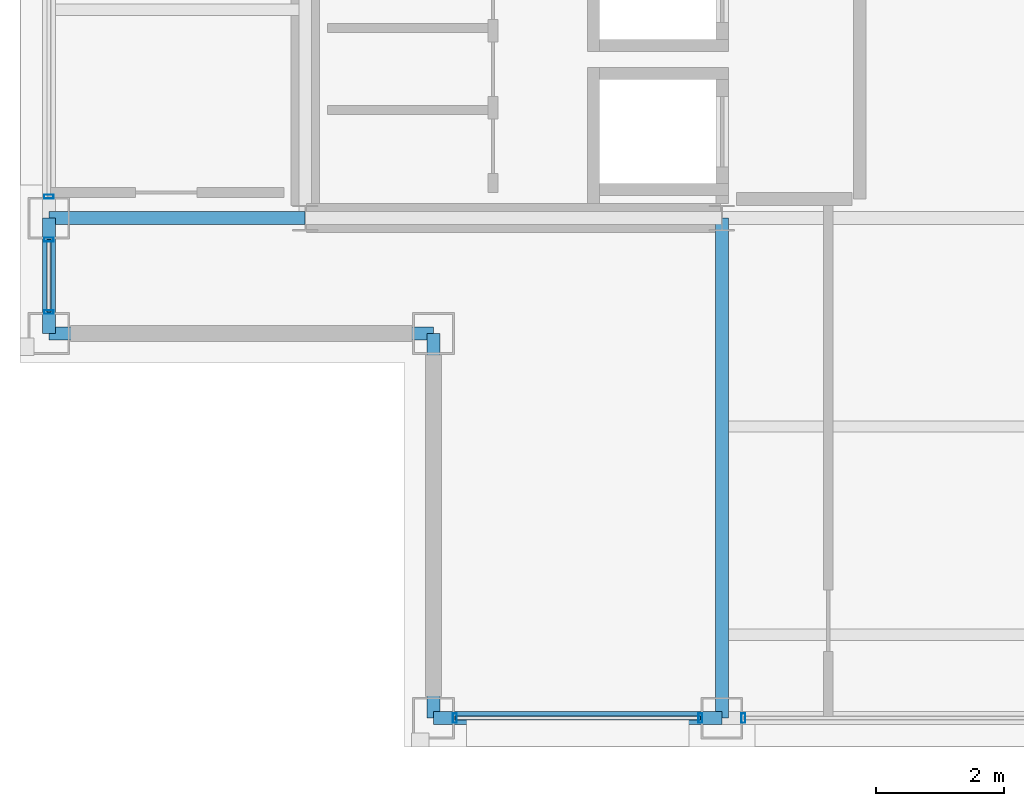
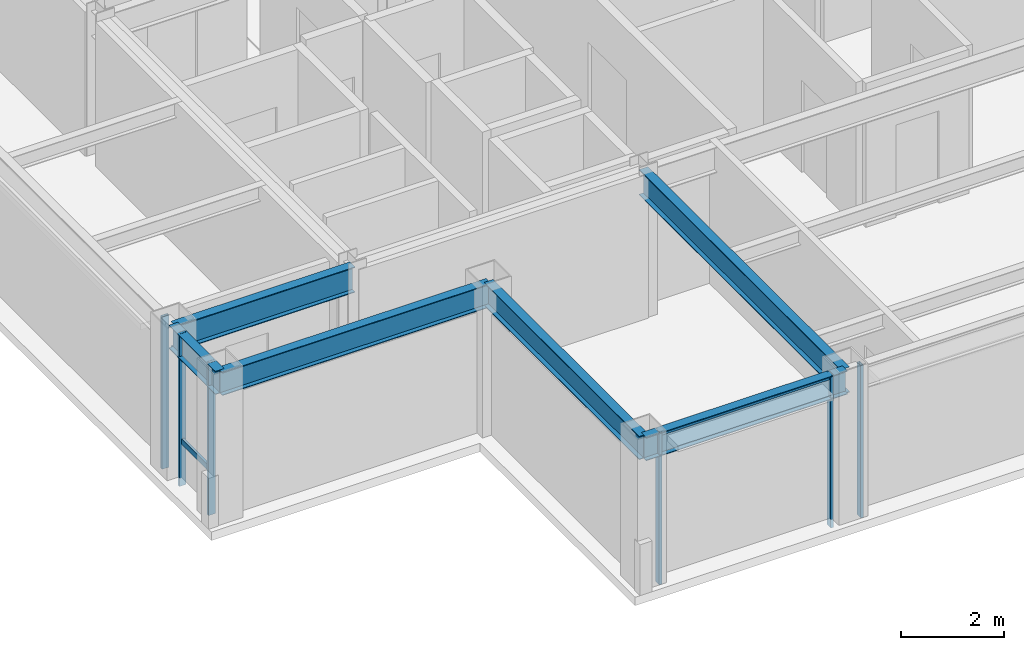
# One storey, part 3 of 24: 8 members, 6 beams, 4 elements without a shape of their own.
"""IFC4 building model written with IfcOpenShell, lengths in metres."""

from ifc_helpers import new_model, si_unit, direction, frame, origin, origin_2d, place, context, subcontext, project, spatial, hollow_rectangle, i_section, extrude, material, layer, layer_set, material_profile, profile_set, type_object, element, aggregate, save


model = new_model("IFC4")

# Units and contexts
model_context = context("Model", 3, precision=1e-05, world=origin(), true_north=direction((0.0, 1.0)))
body_context = subcontext(model_context, "Body", "Model", "MODEL_VIEW")
ifc_project = project(units=[si_unit("LENGTHUNIT", "METRE"), si_unit("AREAUNIT", "SQUARE_METRE"), si_unit("VOLUMEUNIT", "CUBIC_METRE"), si_unit("PLANEANGLEUNIT", "RADIAN"), si_unit("MASSUNIT", "GRAM", prefix="KILO")], contexts=[model_context])

# Site, building, storey
site_placement = place(None, origin())
site = spatial("IfcSite", under=ifc_project, at=site_placement, CompositionType="ELEMENT")
building_placement = place(site_placement, origin())
building = spatial("IfcBuilding", under=site, at=building_placement, Name="Brelmoor Portico Tower", CompositionType="ELEMENT")
storey_placement = place(building_placement, frame((0.0, 0.0, 232.800048828125)))
storey = spatial("IfcBuildingStorey", under=building, at=storey_placement, Name="L61", CompositionType="ELEMENT", Elevation=232.800048828125)

# Beams
ifc_material_1 = material(Name="Steel Q355B", Category="steel")
ifc_material_profile_1 = material_profile(ifc_material_1, i_section(OverallWidth=0.199951171875, OverallDepth=0.60009765625, WebThickness=0.010986328125, FlangeThickness=0.01708984375, at=origin_2d()), Name="HN 600x200x11x17")
ifc_profile_set_1 = profile_set([ifc_material_profile_1], Name="Steel Q355B")
beam_type_1 = type_object("IfcBeamType", Name="BM-PG-600", PredefinedType="BEAM", material=ifc_profile_set_1)
beam_1_placement = place(storey_placement, frame((-8.050048828125, -17.550048828125, 3.099853515625), z_axis=(0.0, 1.0, 0.0), x_axis=(-1.0, 0.0, 0.0)))
element("IfcBeam", 1, at=beam_1_placement, inside=storey, type_object=beam_type_1, Name="L61 Primary Floor Girder PG-03", PredefinedType="BEAM", context=body_context, shape_type="SweptSolid", body=[
    extrude(i_section(OverallWidth=0.199951171875, OverallDepth=0.60009765625, WebThickness=0.010986328125, FlangeThickness=0.01708984375, at=origin_2d()), origin(), (0.0, 0.0, 1.0), 7.800048828125),
])
beam_2_placement = place(storey_placement, frame((-18.550048828125, -9.75, 3.099853515625), z_axis=(1.0, 0.0, 0.0), x_axis=(0.0, 1.0, 0.0)))
element("IfcBeam", 2, at=beam_2_placement, inside=storey, type_object=beam_type_1, Name="L61 Primary Floor Girder PG-11", PredefinedType="BEAM", context=body_context, shape_type="SweptSolid", body=[
    extrude(i_section(OverallWidth=0.199951171875, OverallDepth=0.60009765625, WebThickness=0.010986328125, FlangeThickness=0.01708984375, at=origin_2d()), origin(), (0.0, 0.0, 1.0), 4.0),
])
ifc_material_profile_2 = material_profile(ifc_material_1, i_section(OverallWidth=0.199951171875, OverallDepth=0.550048828125, WebThickness=0.010009765625, FlangeThickness=0.01611328125, at=origin_2d()), Name="HN 550x200x10x16")
ifc_profile_set_2 = profile_set([ifc_material_profile_2], Name="Steel Q355B")
beam_type_2 = type_object("IfcBeamType", Name="BM-SP-550", PredefinedType="SPANDREL", material=ifc_profile_set_2)
beam_3_placement = place(storey_placement, frame((-12.550048828125, -17.550048828125, 3.125), z_axis=(1.0, 0.0, 0.0), x_axis=(0.0, 1.0, 0.0)))
element("IfcBeam", 3, at=beam_3_placement, inside=storey, type_object=beam_type_2, Name="L61 Perimeter Spandrel Beam SP-01", PredefinedType="SPANDREL", context=body_context, shape_type="SweptSolid", body=[
    extrude(i_section(OverallWidth=0.199951171875, OverallDepth=0.550048828125, WebThickness=0.010009765625, FlangeThickness=0.01611328125, at=origin_2d()), origin(), (0.0, 0.0, 1.0), 4.5),
])
beam_4_placement = place(storey_placement, frame((-18.550048828125, -11.550048828125, 3.125), z_axis=(1.0, 0.0, 0.0), x_axis=(0.0, 1.0, 0.0)))
element("IfcBeam", 4, at=beam_4_placement, inside=storey, type_object=beam_type_2, Name="L61 Perimeter Spandrel Beam SP-04", PredefinedType="SPANDREL", context=body_context, shape_type="SweptSolid", body=[
    extrude(i_section(OverallWidth=0.199951171875, OverallDepth=0.550048828125, WebThickness=0.010009765625, FlangeThickness=0.01611328125, at=origin_2d()), origin(), (0.0, 0.0, 1.0), 6.0),
])
beam_5_placement = place(storey_placement, frame((-18.550048828125, -11.550048828125, 3.125), z_axis=(0.0, 1.0, 0.0), x_axis=(-1.0, 0.0, 0.0)))
element("IfcBeam", 5, at=beam_5_placement, inside=storey, type_object=beam_type_2, Name="L61 Perimeter Spandrel Beam SP-11", PredefinedType="SPANDREL", context=body_context, shape_type="SweptSolid", body=[
    extrude(i_section(OverallWidth=0.199951171875, OverallDepth=0.550048828125, WebThickness=0.010009765625, FlangeThickness=0.01611328125, at=origin_2d()), origin(), (0.0, 0.0, 1.0), 1.800048828125),
])
beam_6_placement = place(storey_placement, frame((-12.550048828125, -17.550048828125, 3.125), z_axis=(0.0, 1.0, 0.0), x_axis=(-1.0, 0.0, 0.0)))
element("IfcBeam", 6, at=beam_6_placement, inside=storey, type_object=beam_type_2, Name="L61 Perimeter Spandrel Beam SP-14", PredefinedType="SPANDREL", context=body_context, shape_type="SweptSolid", body=[
    extrude(i_section(OverallWidth=0.199951171875, OverallDepth=0.550048828125, WebThickness=0.010009765625, FlangeThickness=0.01611328125, at=origin_2d()), origin(), (0.0, 0.0, 1.0), 6.0),
])

# Curtain wall, members
ifc_material_2 = material(Name="Anodised Aluminium Alloy 6063-T6", Category="aluminium")
ifc_layer_1 = layer(ifc_material_2, 0.179931640625)
ifc_layer_set_1 = layer_set([ifc_layer_1], Name="Anodised Aluminium Alloy 6063-T6")
curtain_wall_type_1 = type_object("IfcCurtainWallType", Name="CW-TOWER-Z4-XB", PredefinedType="NOTDEFINED", material=ifc_layer_set_1)
curtain_wall_1_placement = place(storey_placement, origin())
curtain_wall_1 = element("IfcCurtainWall", 7, at=curtain_wall_1_placement, inside=storey, type_object=curtain_wall_type_1, Name="L61 Curtain Wall CW-L61-01-1", PredefinedType="NOTDEFINED")
ifc_material_profile_3 = material_profile(ifc_material_2, hollow_rectangle(XDim=0.06005859375, YDim=0.14990234375, WallThickness=0.00390625, at=origin_2d()), Name="ALU MULLION 60x150")
ifc_profile_set_3 = profile_set([ifc_material_profile_3], Name="Anodised Aluminium Alloy 6063-T6")
member_type_1 = type_object("IfcMemberType", Name="MB-CW-MULL-150", PredefinedType="MULLION", material=ifc_profile_set_3)
member_1_placement = place(storey_placement, frame((-12.215087890625, -17.550048828125, -0.199951171875), z_axis=(0.0, 0.0, 1.0), x_axis=(1.0, 0.0, 0.0)))
member_1 = element("IfcMember", 8, at=member_1_placement, type_object=member_type_1, Name="CW-L61-01-1 Mullion 00", PredefinedType="MULLION", context=body_context, shape_type="SweptSolid", body=[
    extrude(hollow_rectangle(XDim=0.06005859375, YDim=0.14990234375, WallThickness=0.00390625, at=origin_2d()), origin(), (0.0, 0.0, 1.0), 3.599853515625),
])
member_2_placement = place(storey_placement, frame((-8.385009765625, -17.550048828125, -0.199951171875), z_axis=(0.0, 0.0, 1.0), x_axis=(1.0, 0.0, 0.0)))
member_2 = element("IfcMember", 9, at=member_2_placement, type_object=member_type_1, Name="CW-L61-01-1 Mullion 01", PredefinedType="MULLION", context=body_context, shape_type="SweptSolid", body=[
    extrude(hollow_rectangle(XDim=0.06005859375, YDim=0.14990234375, WallThickness=0.00390625, at=origin_2d()), origin(), (0.0, 0.0, 1.0), 3.599853515625),
])

# Curtain wall, member
curtain_wall_2_placement = place(storey_placement, origin())
curtain_wall_2 = element("IfcCurtainWall", 10, at=curtain_wall_2_placement, inside=storey, type_object=curtain_wall_type_1, Name="L61 Curtain Wall CW-L61-01-2", PredefinedType="NOTDEFINED")
member_3_placement = place(storey_placement, frame((-7.715087890625, -17.550048828125, -0.199951171875), z_axis=(0.0, 0.0, 1.0), x_axis=(1.0, 0.0, 0.0)))
member_3 = element("IfcMember", 11, at=member_3_placement, type_object=member_type_1, Name="CW-L61-01-2 Mullion 00", PredefinedType="MULLION", context=body_context, shape_type="SweptSolid", body=[
    extrude(hollow_rectangle(XDim=0.06005859375, YDim=0.14990234375, WallThickness=0.00390625, at=origin_2d()), origin(), (0.0, 0.0, 1.0), 3.599853515625),
])
aggregate(curtain_wall_2, [member_3])

# Curtain wall, members
ifc_layer_2 = layer(ifc_material_2, 0.179931640625)
ifc_layer_set_2 = layer_set([ifc_layer_2], Name="Anodised Aluminium Alloy 6063-T6")
curtain_wall_type_2 = type_object("IfcCurtainWallType", Name="CW-TOWER-Z4", PredefinedType="NOTDEFINED", material=ifc_layer_set_2)
curtain_wall_3_placement = place(storey_placement, origin())
curtain_wall_3 = element("IfcCurtainWall", 12, at=curtain_wall_3_placement, inside=storey, type_object=curtain_wall_type_2, Name="L61 Curtain Wall CW-L61-03-1", PredefinedType="NOTDEFINED")
member_4_placement = place(storey_placement, frame((-18.550048828125, -11.215087890625, -0.199951171875), z_axis=(0.0, 0.0, 1.0), x_axis=(0.0, 1.0, 0.0)))
member_4 = element("IfcMember", 13, at=member_4_placement, type_object=member_type_1, Name="CW-L61-03-1 Mullion 00", PredefinedType="MULLION", context=body_context, shape_type="SweptSolid", body=[
    extrude(hollow_rectangle(XDim=0.06005859375, YDim=0.14990234375, WallThickness=0.00390625, at=origin_2d()), origin(), (0.0, 0.0, 1.0), 3.599853515625),
])
member_5_placement = place(storey_placement, frame((-18.550048828125, -10.0849609375, -0.199951171875), z_axis=(0.0, 0.0, 1.0), x_axis=(0.0, 1.0, 0.0)))
member_5 = element("IfcMember", 14, at=member_5_placement, type_object=member_type_1, Name="CW-L61-03-1 Mullion 01", PredefinedType="MULLION", context=body_context, shape_type="SweptSolid", body=[
    extrude(hollow_rectangle(XDim=0.06005859375, YDim=0.14990234375, WallThickness=0.00390625, at=origin_2d()), origin(), (0.0, 0.0, 1.0), 3.599853515625),
])

# Curtain wall, member
curtain_wall_4_placement = place(storey_placement, origin())
curtain_wall_4 = element("IfcCurtainWall", 15, at=curtain_wall_4_placement, inside=storey, type_object=curtain_wall_type_1, Name="L61 Curtain Wall CW-L61-03-2", PredefinedType="NOTDEFINED")
member_6_placement = place(storey_placement, frame((-18.550048828125, -9.4150390625, -0.199951171875), z_axis=(0.0, 0.0, 1.0), x_axis=(0.0, 1.0, 0.0)))
member_6 = element("IfcMember", 16, at=member_6_placement, type_object=member_type_1, Name="CW-L61-03-2 Mullion 00", PredefinedType="MULLION", context=body_context, shape_type="SweptSolid", body=[
    extrude(hollow_rectangle(XDim=0.06005859375, YDim=0.14990234375, WallThickness=0.00390625, at=origin_2d()), origin(), (0.0, 0.0, 1.0), 3.599853515625),
])
aggregate(curtain_wall_4, [member_6])

# Member
ifc_material_profile_4 = material_profile(ifc_material_2, hollow_rectangle(XDim=0.06005859375, YDim=0.125, WallThickness=0.00341796875, at=origin_2d()), Name="ALU TRANSOM 60x125")
ifc_profile_set_4 = profile_set([ifc_material_profile_4], Name="Anodised Aluminium Alloy 6063-T6")
member_type_2 = type_object("IfcMemberType", Name="MB-CW-TRAN-125", PredefinedType="USERDEFINED", material=ifc_profile_set_4)
member_7_placement = place(storey_placement, frame((-12.215087890625, -17.550048828125, 3.33740234375), z_axis=(1.0, 0.0, 0.0), x_axis=(0.0, 1.0, 0.0)))
member_7 = element("IfcMember", 17, at=member_7_placement, type_object=member_type_2, Name="CW-L61-01-1 Transom 1-00", ObjectType="TRANSOM", PredefinedType="USERDEFINED", context=body_context, shape_type="SweptSolid", body=[
    extrude(hollow_rectangle(XDim=0.06005859375, YDim=0.125, WallThickness=0.00341796875, at=origin_2d()), origin(), (0.0, 0.0, 1.0), 3.830078125),
])

aggregate(curtain_wall_1, [member_1, member_2, member_7])

member_8_placement = place(storey_placement, frame((-18.550048828125, -11.215087890625, 0.849853515625), z_axis=(0.0, 1.0, 0.0), x_axis=(-1.0, 0.0, 0.0)))
member_8 = element("IfcMember", 18, at=member_8_placement, type_object=member_type_2, Name="CW-L61-03-1 Transom 1-00", ObjectType="TRANSOM", PredefinedType="USERDEFINED", context=body_context, shape_type="SweptSolid", body=[
    extrude(hollow_rectangle(XDim=0.06005859375, YDim=0.125, WallThickness=0.00341796875, at=origin_2d()), origin(), (0.0, 0.0, 1.0), 1.130126953125),
])

aggregate(curtain_wall_3, [member_4, member_5, member_8])

save(model, "model.ifc")
